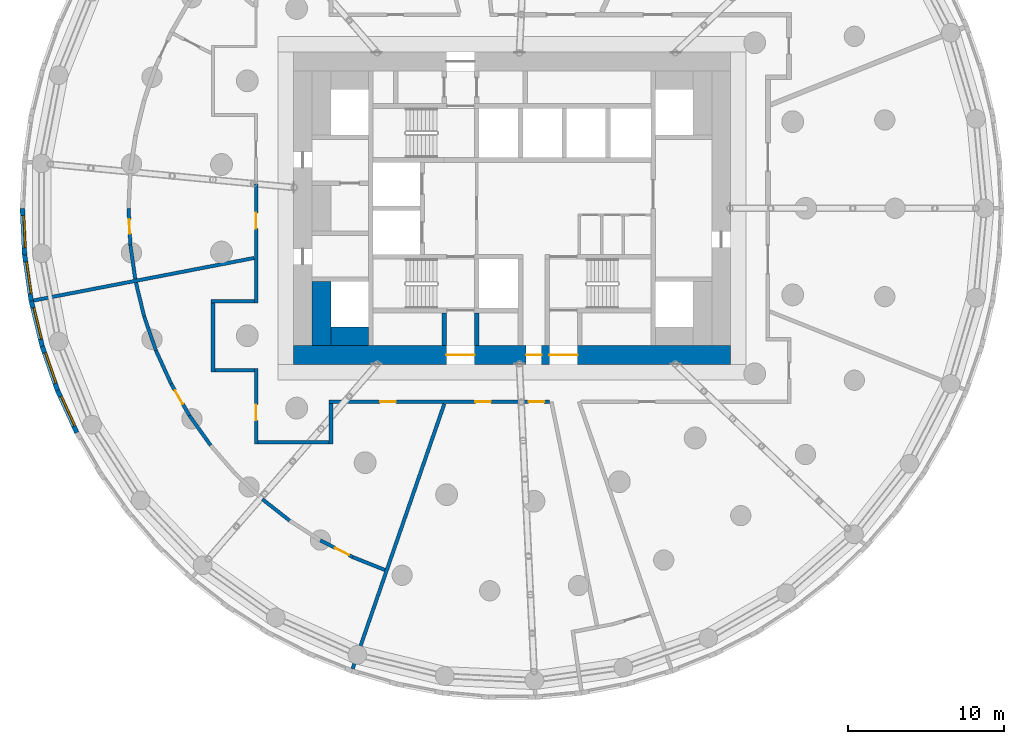
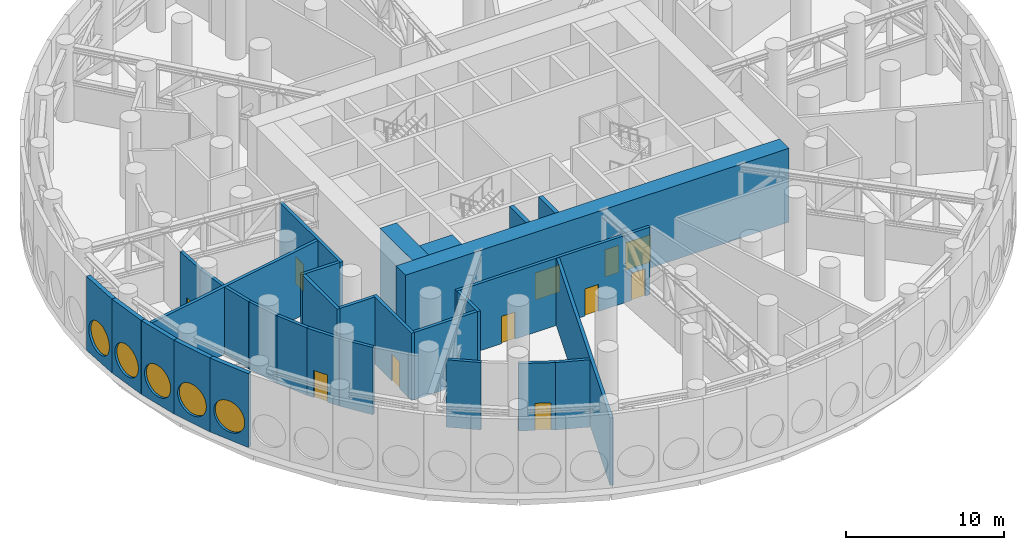
# One storey, part 9 of 17: 30 walls, 11 doors, 5 windows, 16 openings.
"""IFC4 building model written with IfcOpenShell, lengths in metres."""

from ifc_helpers import new_model, si_unit, direction, frame, frame_2d, origin, origin_2d, place, context, subcontext, project, spatial, rectangle, circle, extrude, material, layer, layer_set, type_object, element, fill, save


model = new_model("IFC4")

# Units and contexts
model_context = context("Model", 3, precision=1e-05, world=origin(), true_north=direction((0.0, 1.0)))
body_context = subcontext(model_context, "Body", "Model", "MODEL_VIEW")
ifc_project = project(units=[si_unit("LENGTHUNIT", "METRE"), si_unit("AREAUNIT", "SQUARE_METRE"), si_unit("VOLUMEUNIT", "CUBIC_METRE"), si_unit("PLANEANGLEUNIT", "RADIAN"), si_unit("MASSUNIT", "GRAM", prefix="KILO")], contexts=[model_context])

# Site, building, storey
site_placement = place(None, origin())
site = spatial("IfcSite", under=ifc_project, at=site_placement, CompositionType="ELEMENT")
building_placement = place(site_placement, origin())
building = spatial("IfcBuilding", under=site, at=building_placement, Name="Tracery Tower", CompositionType="ELEMENT")
storey_placement = place(building_placement, frame((0.0, 0.0, 120.0)))
storey = spatial("IfcBuildingStorey", under=building, at=storey_placement, Name="L30 Plant", CompositionType="ELEMENT", Elevation=120.0)

# Walls
ifc_material_1 = material(Name="Concrete C60/75", Category="concrete")
ifc_layer_1 = layer(ifc_material_1, 1.199951171875)
ifc_layer_set_1 = layer_set([ifc_layer_1], Name="Core strip wall 1200 C60")
wall_type_1 = type_object("IfcWallType", Name="Core strip wall 1200 C60", PredefinedType="SOLIDWALL", material=ifc_layer_set_1)
wall_1_placement = place(storey_placement, frame((-12.199951171875, -8.800048828125, 0.0), z_axis=(0.0, 0.0, 1.0), x_axis=(0.0, 1.0, 0.0)))
element("IfcWall", 1, at=wall_1_placement, inside=storey, type_object=wall_type_1, Name="L30 Plant wing strip -1 -9.4", PredefinedType="SOLIDWALL", context=body_context, shape_type="SweptSolid", body=[
    extrude(rectangle(XDim=4.10009765625, YDim=1.199951171875, at=frame_2d((2.050048828125, 0.0))), origin(), (0.0, 0.0, 1.0), 5.699951171875),
])
wall_2_placement = place(storey_placement, frame((-11.60009765625, -8.199951171875, 0.0), z_axis=(0.0, 0.0, 1.0), x_axis=(1.0, 0.0, 0.0)))
element("IfcWall", 2, at=wall_2_placement, inside=storey, type_object=wall_type_1, Name="L30 Plant wing corner -1 -8.2", PredefinedType="SOLIDWALL", context=body_context, shape_type="SweptSolid", body=[
    extrude(rectangle(XDim=2.400146484375, YDim=1.199951171875, at=frame_2d((1.2001953125, 0.0))), origin(), (0.0, 0.0, 1.0), 5.699951171875),
])

# Wall, openings, doors
ifc_material_2 = material(Name="Concrete C60/75", Category="concrete")
ifc_layer_2 = layer(ifc_material_2, 1.199951171875)
ifc_layer_set_2 = layer_set([ifc_layer_2], Name="Core wall 1200 C60")
wall_type_2 = type_object("IfcWallType", Name="Core wall 1200 C60", PredefinedType="SOLIDWALL", material=ifc_layer_set_2)
wall_3_placement = place(storey_placement, frame((-14.0, -9.39990234375, 0.0), z_axis=(0.0, 0.0, 1.0), x_axis=(1.0, 0.0, 0.0)))
wall_3 = element("IfcWall", 3, at=wall_3_placement, inside=storey, type_object=wall_type_2, Name="L30 Plant outer S", PredefinedType="SOLIDWALL", context=body_context, shape_type="SweptSolid", body=[
    extrude(rectangle(XDim=28.0, YDim=1.199951171875, at=frame_2d((14.0, 0.0))), origin(), (0.0, 0.0, 1.0), 5.699951171875),
])
opening_1_placement = place(wall_3_placement, frame((14.89990234375, 0.0, 0.0)))
opening_1 = element("IfcOpeningElement", 4, at=opening_1_placement, cuts=wall_3, Name="Opening KD16", PredefinedType="OPENING", context=body_context, shape_type="SweptSolid", body=[
    extrude(rectangle(XDim=1.0, YDim=2.10009765625, at=frame_2d((0.5, 1.050048828125))), frame((0.0, 0.60009765625, 0.0), z_axis=(0.0, -1.0, 0.0), x_axis=(1.0, 0.0, 0.0)), (0.0, 0.0, 1.0), 1.199951171875),
])
opening_2_placement = place(wall_3_placement, frame((9.800048828125, 0.0, 0.0)))
opening_2 = element("IfcOpeningElement", 5, at=opening_2_placement, cuts=wall_3, Name="Opening KD13", PredefinedType="OPENING", context=body_context, shape_type="SweptSolid", body=[
    extrude(rectangle(XDim=1.800048828125, YDim=2.10009765625, at=frame_2d((0.89990234375, 1.050048828125))), frame((0.0, 0.60009765625, 0.0), z_axis=(0.0, -1.0, 0.0), x_axis=(1.0, 0.0, 0.0)), (0.0, 0.0, 1.0), 1.199951171875),
])
opening_3_placement = place(wall_3_placement, frame((16.39990234375, 0.0, 0.0)))
opening_3 = element("IfcOpeningElement", 6, at=opening_3_placement, cuts=wall_3, Name="Opening KD13", PredefinedType="OPENING", context=body_context, shape_type="SweptSolid", body=[
    extrude(rectangle(XDim=1.800048828125, YDim=2.10009765625, at=frame_2d((0.89990234375, 1.050048828125))), frame((0.0, 0.60009765625, 0.0), z_axis=(0.0, -1.0, 0.0), x_axis=(1.0, 0.0, 0.0)), (0.0, 0.0, 1.0), 1.199951171875),
])
ifc_material_3 = material(Name="Steel fire door", Category="steel")
door_type_1 = type_object("IfcDoorType", Name="Core exit door 1000", OperationType="NOTDEFINED", PredefinedType="DOOR", material=ifc_material_3)
door_1_placement = place(opening_1_placement, origin())
door_1 = element("IfcDoor", 7, at=door_1_placement, inside=storey, type_object=door_type_1, Name="Core exit door", OperationType="SINGLE_SWING_LEFT", OverallHeight=2.10009765625, OverallWidth=1.0, PredefinedType="DOOR", context=body_context, shape_type="SweptSolid", body=[
    extrude(rectangle(XDim=1.0, YDim=2.10009765625, at=frame_2d((0.5, 1.050048828125))), frame((0.0, 0.02490234375, 0.0), z_axis=(0.0, -1.0, 0.0), x_axis=(1.0, 0.0, 0.0)), (0.0, 0.0, 1.0), 0.050048828125),
])
fill(opening_1, door_1)
ifc_material_4 = material(Name="Steel fire door", Category="steel")
door_type_2 = type_object("IfcDoorType", Name="Core exit door 1800 double", OperationType="NOTDEFINED", PredefinedType="DOOR", material=ifc_material_4)
door_2_placement = place(opening_2_placement, origin())
door_2 = element("IfcDoor", 8, at=door_2_placement, inside=storey, type_object=door_type_2, Name="Core exit door", OperationType="DOUBLE_DOOR_SINGLE_SWING", OverallHeight=2.10009765625, OverallWidth=1.800048828125, PredefinedType="DOOR", context=body_context, shape_type="SweptSolid", body=[
    extrude(rectangle(XDim=1.800048828125, YDim=2.10009765625, at=frame_2d((0.89990234375, 1.050048828125))), frame((0.0, 0.02490234375, 0.0), z_axis=(0.0, -1.0, 0.0), x_axis=(1.0, 0.0, 0.0)), (0.0, 0.0, 1.0), 0.050048828125),
])
fill(opening_2, door_2)
door_3_placement = place(opening_3_placement, origin())
door_3 = element("IfcDoor", 9, at=door_3_placement, inside=storey, type_object=door_type_2, Name="Core exit door", OperationType="DOUBLE_DOOR_SINGLE_SWING", OverallHeight=2.10009765625, OverallWidth=1.800048828125, PredefinedType="DOOR", context=body_context, shape_type="SweptSolid", body=[
    extrude(rectangle(XDim=1.800048828125, YDim=2.10009765625, at=frame_2d((0.89990234375, 1.050048828125))), frame((0.0, 0.02490234375, 0.0), z_axis=(0.0, -1.0, 0.0), x_axis=(1.0, 0.0, 0.0)), (0.0, 0.0, 1.0), 0.050048828125),
])
fill(opening_3, door_3)

# Wall, opening, window
ifc_material_5 = material(Name="Precast concrete C50/60", Category="concrete")
ifc_layer_3 = layer(ifc_material_5, 0.300048828125)
ifc_layer_set_3 = layer_set([ifc_layer_3], Name="Plant louvre panel 3000 x 5700")
wall_type_3 = type_object("IfcWallType", Name="Plant louvre panel 3000 x 5700", PredefinedType="SOLIDWALL", material=ifc_layer_set_3)
wall_4_placement = place(storey_placement, frame((-31.37451171875, 0.0, 0.0), z_axis=(0.0, 0.0, 1.0), x_axis=(0.047588458579, -0.998867027492, 0.0)))
wall_4 = element("IfcWall", 10, at=wall_4_placement, inside=storey, type_object=wall_type_3, Name="Plant louvre panel 34 at L30 Plant", PredefinedType="SOLIDWALL", context=body_context, shape_type="SweptSolid", body=[
    extrude(rectangle(XDim=2.98583984375, YDim=0.300048828125, at=frame_2d((1.492919921875, 0.0))), origin(), (0.0, 0.0, 1.0), 5.699951171875),
])
opening_4_placement = place(wall_4_placement, frame((1.492919921875, 0.0, 1.800048828125)))
opening_4 = element("IfcOpeningElement", 11, at=opening_4_placement, cuts=wall_4, Name="Opening LV1", PredefinedType="OPENING", context=body_context, shape_type="SweptSolid", body=[
    extrude(circle(Radius=1.199951171875, at=origin_2d()), frame((0.0, 0.159912109375, 0.0), z_axis=(0.0, -1.0, 0.0), x_axis=(1.0, 0.0, 0.0)), (0.0, 0.0, 1.0), 0.320068359375),
])
ifc_material_6 = material(Name="Aluminium louvre, bronze anodised", Category="aluminium")
window_type = type_object("IfcWindowType", Name="Louvred oculus 2400, sill 600", PartitioningType="SINGLE_PANEL", PredefinedType="WINDOW", material=ifc_material_6)
window_1_placement = place(opening_4_placement, origin())
window_1 = element("IfcWindow", 12, at=window_1_placement, inside=storey, type_object=window_type, Name="Louvred oculus 34 at L30 Plant", OverallHeight=2.39990234375, OverallWidth=2.39990234375, PartitioningType="SINGLE_PANEL", PredefinedType="WINDOW", context=body_context, shape_type="SweptSolid", body=[
    extrude(circle(Radius=1.199951171875, at=origin_2d()), frame((0.0, 0.1201171875, 0.0), z_axis=(0.0, -1.0, 0.0), x_axis=(1.0, 0.0, 0.0)), (0.0, 0.0, 1.0), 0.10009765625),
])
fill(opening_4, window_1)

wall_5_placement = place(storey_placement, frame((-31.232421875, -2.982421875, 0.0), z_axis=(0.0, 0.0, 1.0), x_axis=(0.142360001917, -0.989814947278, 0.0)))
wall_5 = element("IfcWall", 13, at=wall_5_placement, inside=storey, type_object=wall_type_3, Name="Plant louvre panel 35 at L30 Plant", PredefinedType="SOLIDWALL", context=body_context, shape_type="SweptSolid", body=[
    extrude(rectangle(XDim=2.98583984375, YDim=0.300048828125, at=frame_2d((1.492919921875, 0.0))), origin(), (0.0, 0.0, 1.0), 5.699951171875),
])
opening_5_placement = place(wall_5_placement, frame((1.492919921875, 0.0, 1.800048828125)))
opening_5 = element("IfcOpeningElement", 14, at=opening_5_placement, cuts=wall_5, Name="Opening LV1", PredefinedType="OPENING", context=body_context, shape_type="SweptSolid", body=[
    extrude(circle(Radius=1.199951171875, at=origin_2d()), frame((0.0, 0.159912109375, 0.0), z_axis=(0.0, -1.0, 0.0), x_axis=(1.0, 0.0, 0.0)), (0.0, 0.0, 1.0), 0.320068359375),
])
window_2_placement = place(opening_5_placement, origin())
window_2 = element("IfcWindow", 15, at=window_2_placement, inside=storey, type_object=window_type, Name="Louvred oculus 35 at L30 Plant", OverallHeight=2.39990234375, OverallWidth=2.39990234375, PartitioningType="SINGLE_PANEL", PredefinedType="WINDOW", context=body_context, shape_type="SweptSolid", body=[
    extrude(circle(Radius=1.199951171875, at=origin_2d()), frame((0.0, 0.1201171875, 0.0), z_axis=(0.0, -1.0, 0.0), x_axis=(1.0, 0.0, 0.0)), (0.0, 0.0, 1.0), 0.10009765625),
])
fill(opening_5, window_2)

wall_6_placement = place(storey_placement, frame((-30.807373046875, -5.937744140625, 0.0), z_axis=(0.0, 0.0, 1.0), x_axis=(0.235756834479, -0.971812078026, 0.0)))
wall_6 = element("IfcWall", 16, at=wall_6_placement, inside=storey, type_object=wall_type_3, Name="Plant louvre panel 36 at L30 Plant", PredefinedType="SOLIDWALL", context=body_context, shape_type="SweptSolid", body=[
    extrude(rectangle(XDim=2.985595703125, YDim=0.300048828125, at=frame_2d((1.49267578125, 0.0))), origin(), (0.0, 0.0, 1.0), 5.699951171875),
])
opening_6_placement = place(wall_6_placement, frame((1.492919921875, 0.0, 1.800048828125)))
opening_6 = element("IfcOpeningElement", 17, at=opening_6_placement, cuts=wall_6, Name="Opening LV1", PredefinedType="OPENING", context=body_context, shape_type="SweptSolid", body=[
    extrude(circle(Radius=1.199951171875, at=origin_2d()), frame((0.0, 0.159912109375, 0.0), z_axis=(0.0, -1.0, 0.0), x_axis=(1.0, 0.0, 0.0)), (0.0, 0.0, 1.0), 0.320068359375),
])
window_3_placement = place(opening_6_placement, origin())
window_3 = element("IfcWindow", 18, at=window_3_placement, inside=storey, type_object=window_type, Name="Louvred oculus 36 at L30 Plant", OverallHeight=2.39990234375, OverallWidth=2.39990234375, PartitioningType="SINGLE_PANEL", PredefinedType="WINDOW", context=body_context, shape_type="SweptSolid", body=[
    extrude(circle(Radius=1.199951171875, at=origin_2d()), frame((0.0, 0.1201171875, 0.0), z_axis=(0.0, -1.0, 0.0), x_axis=(1.0, 0.0, 0.0)), (0.0, 0.0, 1.0), 0.10009765625),
])
fill(opening_6, window_3)

wall_7_placement = place(storey_placement, frame((-30.103515625, -8.839111328125, 0.0), z_axis=(0.0, 0.0, 1.0), x_axis=(0.327074054052, -0.944998710669, 0.0)))
wall_7 = element("IfcWall", 19, at=wall_7_placement, inside=storey, type_object=wall_type_3, Name="Plant louvre panel 37 at L30 Plant", PredefinedType="SOLIDWALL", context=body_context, shape_type="SweptSolid", body=[
    extrude(rectangle(XDim=2.98583984375, YDim=0.300048828125, at=frame_2d((1.492919921875, 0.0))), origin(), (0.0, 0.0, 1.0), 5.699951171875),
])
opening_7_placement = place(wall_7_placement, frame((1.492919921875, 0.0, 1.800048828125)))
opening_7 = element("IfcOpeningElement", 20, at=opening_7_placement, cuts=wall_7, Name="Opening LV1", PredefinedType="OPENING", context=body_context, shape_type="SweptSolid", body=[
    extrude(circle(Radius=1.199951171875, at=origin_2d()), frame((0.0, 0.159912109375, 0.0), z_axis=(0.0, -1.0, 0.0), x_axis=(1.0, 0.0, 0.0)), (0.0, 0.0, 1.0), 0.320068359375),
])
window_4_placement = place(opening_7_placement, origin())
window_4 = element("IfcWindow", 21, at=window_4_placement, inside=storey, type_object=window_type, Name="Louvred oculus 37 at L30 Plant", OverallHeight=2.39990234375, OverallWidth=2.39990234375, PartitioningType="SINGLE_PANEL", PredefinedType="WINDOW", context=body_context, shape_type="SweptSolid", body=[
    extrude(circle(Radius=1.199951171875, at=origin_2d()), frame((0.0, 0.1201171875, 0.0), z_axis=(0.0, -1.0, 0.0), x_axis=(1.0, 0.0, 0.0)), (0.0, 0.0, 1.0), 0.10009765625),
])
fill(opening_7, window_4)

wall_8_placement = place(storey_placement, frame((-29.126953125, -11.66064453125, 0.0), z_axis=(0.0, 0.0, 1.0), x_axis=(0.415373250944, -0.909651066289, 0.0)))
wall_8 = element("IfcWall", 22, at=wall_8_placement, inside=storey, type_object=wall_type_3, Name="Plant louvre panel 38 at L30 Plant", PredefinedType="SOLIDWALL", context=body_context, shape_type="SweptSolid", body=[
    extrude(rectangle(XDim=2.98583984375, YDim=0.300048828125, at=frame_2d((1.492919921875, 0.0))), origin(), (0.0, 0.0, 1.0), 5.699951171875),
])
opening_8_placement = place(wall_8_placement, frame((1.492919921875, 0.0, 1.800048828125)))
opening_8 = element("IfcOpeningElement", 23, at=opening_8_placement, cuts=wall_8, Name="Opening LV1", PredefinedType="OPENING", context=body_context, shape_type="SweptSolid", body=[
    extrude(circle(Radius=1.199951171875, at=origin_2d()), frame((0.0, 0.159912109375, 0.0), z_axis=(0.0, -1.0, 0.0), x_axis=(1.0, 0.0, 0.0)), (0.0, 0.0, 1.0), 0.320068359375),
])
window_5_placement = place(opening_8_placement, origin())
window_5 = element("IfcWindow", 24, at=window_5_placement, inside=storey, type_object=window_type, Name="Louvred oculus 38 at L30 Plant", OverallHeight=2.39990234375, OverallWidth=2.39990234375, PartitioningType="SINGLE_PANEL", PredefinedType="WINDOW", context=body_context, shape_type="SweptSolid", body=[
    extrude(circle(Radius=1.199951171875, at=origin_2d()), frame((0.0, 0.1201171875, 0.0), z_axis=(0.0, -1.0, 0.0), x_axis=(1.0, 0.0, 0.0)), (0.0, 0.0, 1.0), 0.10009765625),
])
fill(opening_8, window_5)

# Wall
ifc_material_7 = material(Name="Concrete blockwork", Category="masonry")
ifc_layer_4 = layer(ifc_material_7, 0.22509765625)
ifc_layer_set_4 = layer_set([ifc_layer_4], Name="Plant room block wall 225")
wall_type_4 = type_object("IfcWallType", Name="Plant room block wall 225", PredefinedType="PARTITIONING", material=ifc_layer_set_4)
wall_9_placement = place(storey_placement, frame((-30.659912109375, -5.9091796875, 0.0), z_axis=(0.0, 0.0, 1.0), x_axis=(0.981928953338, 0.18924991571, 0.0)))
element("IfcWall", 25, at=wall_9_placement, inside=storey, type_object=wall_type_4, Name="Plant room block wall 225", PredefinedType="PARTITIONING", context=body_context, shape_type="SweptSolid", body=[
    extrude(rectangle(XDim=14.39697265625, YDim=0.22509765625, at=frame_2d((7.198486328125, 0.0))), origin(), (0.0, 0.0, 1.0), 5.199951171875),
])

# Wall, opening, door
wall_10_placement = place(storey_placement, frame((-24.45556640625, -2.335205078125, 0.0), z_axis=(0.0, 0.0, 1.0), x_axis=(-0.047515533415, 0.998870499156, 0.0)))
wall_10 = element("IfcWall", 26, at=wall_10_placement, inside=storey, type_object=wall_type_4, Name="Plant room block wall 225", PredefinedType="PARTITIONING", context=body_context, shape_type="SweptSolid", body=[
    extrude(rectangle(XDim=2.337890625, YDim=0.22509765625, at=frame_2d((1.1689453125, 0.0))), origin(), (0.0, 0.0, 1.0), 5.199951171875),
])
opening_9_placement = place(wall_10_placement, frame((0.718994140625, 0.0, 0.0)))
opening_9 = element("IfcOpeningElement", 27, at=opening_9_placement, cuts=wall_10, Name="Opening SB-P30-06", PredefinedType="OPENING", context=body_context, shape_type="SweptSolid", body=[
    extrude(rectangle(XDim=0.89990234375, YDim=2.10009765625, at=frame_2d((0.449951171875, 1.050048828125))), frame((0.0, 0.112548828125, 0.0), z_axis=(0.0, -1.0, 0.0), x_axis=(1.0, 0.0, 0.0)), (0.0, 0.0, 1.0), 0.22509765625),
])
ifc_material_8 = material(Name="Steel fire door", Category="steel")
door_type_3 = type_object("IfcDoorType", Name="Store door 900", OperationType="NOTDEFINED", PredefinedType="DOOR", material=ifc_material_8)
door_4_placement = place(opening_9_placement, origin())
door_4 = element("IfcDoor", 28, at=door_4_placement, inside=storey, type_object=door_type_3, Name="Store door 900", OperationType="SINGLE_SWING_RIGHT", OverallHeight=2.10009765625, OverallWidth=0.89990234375, PredefinedType="DOOR", context=body_context, shape_type="SweptSolid", body=[
    extrude(rectangle(XDim=0.89990234375, YDim=2.10009765625, at=frame_2d((0.449951171875, 1.050048828125))), frame((0.0, 0.02490234375, 0.0), z_axis=(0.0, -1.0, 0.0), x_axis=(1.0, 0.0, 0.0)), (0.0, 0.0, 1.0), 0.050048828125),
])
fill(opening_9, door_4)

# Walls
wall_11_placement = place(storey_placement, frame((-24.45556640625, -2.335205078125, 0.0), z_axis=(0.0, 0.0, 1.0), x_axis=(0.142359370695, -0.989815038063, 0.0)))
element("IfcWall", 29, at=wall_11_placement, inside=storey, type_object=wall_type_4, Name="Plant room block wall 225", PredefinedType="PARTITIONING", context=body_context, shape_type="SweptSolid", body=[
    extrude(rectangle(XDim=2.22265625, YDim=0.22509765625, at=frame_2d((1.111328125, 0.0))), origin(), (0.0, 0.0, 1.0), 5.199951171875),
])
wall_12_placement = place(storey_placement, frame((-24.095703125, -4.761474609375, 0.0), z_axis=(0.0, 0.0, 1.0), x_axis=(0.235860984845, -0.971786805749, 0.0)))
element("IfcWall", 30, at=wall_12_placement, inside=storey, type_object=wall_type_4, Name="Plant room block wall 225", PredefinedType="PARTITIONING", context=body_context, shape_type="SweptSolid", body=[
    extrude(rectangle(XDim=2.222412109375, YDim=0.22509765625, at=frame_2d((1.111328125, 0.0))), origin(), (0.0, 0.0, 1.0), 5.199951171875),
])
wall_13_placement = place(storey_placement, frame((-23.571533203125, -6.921142578125, 0.0), z_axis=(0.0, 0.0, 1.0), x_axis=(0.327046007052, -0.945008417566, 0.0)))
element("IfcWall", 31, at=wall_13_placement, inside=storey, type_object=wall_type_4, Name="Plant room block wall 225", PredefinedType="PARTITIONING", context=body_context, shape_type="SweptSolid", body=[
    extrude(rectangle(XDim=2.338134765625, YDim=0.22509765625, at=frame_2d((1.1689453125, 0.0))), origin(), (0.0, 0.0, 1.0), 5.199951171875),
])
wall_14_placement = place(storey_placement, frame((-22.806884765625, -9.130615234375, 0.0), z_axis=(0.0, 0.0, 1.0), x_axis=(0.415438886862, -0.909621092149, 0.0)))
element("IfcWall", 32, at=wall_14_placement, inside=storey, type_object=wall_type_4, Name="Plant room block wall 225", PredefinedType="PARTITIONING", context=body_context, shape_type="SweptSolid", body=[
    extrude(rectangle(XDim=2.337646484375, YDim=0.22509765625, at=frame_2d((1.1689453125, 0.0))), origin(), (0.0, 0.0, 1.0), 5.199951171875),
])

# Wall, opening, door
wall_15_placement = place(storey_placement, frame((-20.666748046875, -13.28173828125, 0.0), z_axis=(0.0, 0.0, 1.0), x_axis=(-0.500002679963, 0.866023856502, 0.0)))
wall_15 = element("IfcWall", 33, at=wall_15_placement, inside=storey, type_object=wall_type_4, Name="Plant room block wall 225", PredefinedType="PARTITIONING", context=body_context, shape_type="SweptSolid", body=[
    extrude(rectangle(XDim=2.337890625, YDim=0.22509765625, at=frame_2d((1.1689453125, 0.0))), origin(), (0.0, 0.0, 1.0), 5.199951171875),
])
opening_10_placement = place(wall_15_placement, frame((0.868896484375, 0.0, 0.0)))
opening_10 = element("IfcOpeningElement", 34, at=opening_10_placement, cuts=wall_15, Name="Opening SB-P30-08", PredefinedType="OPENING", context=body_context, shape_type="SweptSolid", body=[
    extrude(rectangle(XDim=1.0, YDim=2.10009765625, at=frame_2d((0.5, 1.050048828125))), frame((0.0, 0.112548828125, 0.0), z_axis=(0.0, -1.0, 0.0), x_axis=(1.0, 0.0, 0.0)), (0.0, 0.0, 1.0), 0.22509765625),
])
ifc_material_9 = material(Name="Steel fire door", Category="steel")
door_type_4 = type_object("IfcDoorType", Name="Plant room door 1000", OperationType="NOTDEFINED", PredefinedType="DOOR", material=ifc_material_9)
door_5_placement = place(opening_10_placement, origin())
door_5 = element("IfcDoor", 35, at=door_5_placement, inside=storey, type_object=door_type_4, Name="Plant room door 1000", OperationType="SINGLE_SWING_RIGHT", OverallHeight=2.10009765625, OverallWidth=1.0, PredefinedType="DOOR", context=body_context, shape_type="SweptSolid", body=[
    extrude(rectangle(XDim=1.0, YDim=2.10009765625, at=frame_2d((0.5, 1.050048828125))), frame((0.0, 0.02490234375, 0.0), z_axis=(0.0, -1.0, 0.0), x_axis=(1.0, 0.0, 0.0)), (0.0, 0.0, 1.0), 0.050048828125),
])
fill(opening_10, door_5)

# Walls
wall_16_placement = place(storey_placement, frame((-20.666748046875, -13.28173828125, 0.0), z_axis=(0.0, 0.0, 1.0), x_axis=(0.580032319147, -0.814593462252, 0.0)))
element("IfcWall", 36, at=wall_16_placement, inside=storey, type_object=wall_type_4, Name="Plant room block wall 225", PredefinedType="PARTITIONING", context=body_context, shape_type="SweptSolid", body=[
    extrude(rectangle(XDim=2.337646484375, YDim=0.22509765625, at=frame_2d((1.1689453125, 0.0))), origin(), (0.0, 0.0, 1.0), 5.199951171875),
])
wall_17_placement = place(storey_placement, frame((-19.045654296875, -10.36669921875, 0.0), z_axis=(0.0, 0.0, 1.0), x_axis=(1.0, 0.0, 0.0)))
element("IfcWall", 37, at=wall_17_placement, inside=storey, type_object=wall_type_4, Name="Plant room block wall 225", PredefinedType="PARTITIONING", context=body_context, shape_type="SweptSolid", body=[
    extrude(rectangle(XDim=2.533203125, YDim=0.22509765625, at=frame_2d((1.2666015625, 0.0))), origin(), (0.0, 0.0, 1.0), 5.199951171875),
])
wall_18_placement = place(storey_placement, frame((-19.158203125, -6.0791015625, 0.0), z_axis=(0.0, 0.0, 1.0), x_axis=(0.0, -1.0, 0.0)))
element("IfcWall", 38, at=wall_18_placement, inside=storey, type_object=wall_type_4, Name="Plant room block wall 225", PredefinedType="PARTITIONING", context=body_context, shape_type="SweptSolid", body=[
    extrude(rectangle(XDim=4.400146484375, YDim=0.22509765625, at=frame_2d((2.2001953125, 0.0))), origin(), (0.0, 0.0, 1.0), 5.199951171875),
])
wall_19_placement = place(storey_placement, frame((-16.28759765625, -15.002197265625, 0.0), z_axis=(0.0, 0.0, 1.0), x_axis=(1.0, 0.0, 0.0)))
element("IfcWall", 39, at=wall_19_placement, inside=storey, type_object=wall_type_4, Name="Plant room block wall 225", PredefinedType="PARTITIONING", context=body_context, shape_type="SweptSolid", body=[
    extrude(rectangle(XDim=4.577392578125, YDim=0.22509765625, at=frame_2d((2.28857421875, 0.0))), origin(), (0.0, 0.0, 1.0), 5.199951171875),
])

# Wall, opening, door
wall_20_placement = place(storey_placement, frame((-16.39990234375, -10.254150390625, 0.0), z_axis=(0.0, 0.0, 1.0), x_axis=(0.0, -1.0, 0.0)))
wall_20 = element("IfcWall", 40, at=wall_20_placement, inside=storey, type_object=wall_type_4, Name="Plant room block wall 225", PredefinedType="PARTITIONING", context=body_context, shape_type="SweptSolid", body=[
    extrude(rectangle(XDim=4.860595703125, YDim=0.22509765625, at=frame_2d((2.43017578125, 0.0))), origin(), (0.0, 0.0, 1.0), 5.199951171875),
])
opening_11_placement = place(wall_20_placement, frame((2.330322265625, 0.0, 0.0)))
opening_11 = element("IfcOpeningElement", 41, at=opening_11_placement, cuts=wall_20, Name="Opening SB-P30-07", PredefinedType="OPENING", context=body_context, shape_type="SweptSolid", body=[
    extrude(rectangle(XDim=1.0, YDim=2.10009765625, at=frame_2d((0.5, 1.050048828125))), frame((0.0, 0.112548828125, 0.0), z_axis=(0.0, -1.0, 0.0), x_axis=(1.0, 0.0, 0.0)), (0.0, 0.0, 1.0), 0.22509765625),
])
door_6_placement = place(opening_11_placement, origin())
door_6 = element("IfcDoor", 42, at=door_6_placement, inside=storey, type_object=door_type_4, Name="Plant room door 1000", OperationType="SINGLE_SWING_LEFT", OverallHeight=2.10009765625, OverallWidth=1.0, PredefinedType="DOOR", context=body_context, shape_type="SweptSolid", body=[
    extrude(rectangle(XDim=1.0, YDim=2.10009765625, at=frame_2d((0.5, 1.050048828125))), frame((0.0, 0.02490234375, 0.0), z_axis=(0.0, -1.0, 0.0), x_axis=(1.0, 0.0, 0.0)), (0.0, 0.0, 1.0), 0.050048828125),
])
fill(opening_11, door_6)

# Wall
wall_21_placement = place(storey_placement, frame((-16.512451171875, -5.966796875, 0.0), z_axis=(0.0, 0.0, 1.0), x_axis=(-1.0, 0.0, 0.0)))
element("IfcWall", 43, at=wall_21_placement, inside=storey, type_object=wall_type_4, Name="Plant room block wall 225", PredefinedType="PARTITIONING", context=body_context, shape_type="SweptSolid", body=[
    extrude(rectangle(XDim=2.75830078125, YDim=0.22509765625, at=frame_2d((1.379150390625, 0.0))), origin(), (0.0, 0.0, 1.0), 5.199951171875),
])

# Wall, opening, door
wall_22_placement = place(storey_placement, frame((-16.39990234375, 1.56591796875, 0.0), z_axis=(0.0, 0.0, 1.0), x_axis=(0.0, -1.0, 0.0)))
wall_22 = element("IfcWall", 44, at=wall_22_placement, inside=storey, type_object=wall_type_4, Name="Plant room block wall 225", PredefinedType="PARTITIONING", context=body_context, shape_type="SweptSolid", body=[
    extrude(rectangle(XDim=7.64501953125, YDim=0.22509765625, at=frame_2d((3.822509765625, 0.0))), origin(), (0.0, 0.0, 1.0), 5.199951171875),
])
opening_12_placement = place(wall_22_placement, frame((1.86328125, 0.0, 0.0)))
opening_12 = element("IfcOpeningElement", 45, at=opening_12_placement, cuts=wall_22, Name="Opening SB-P30-05", PredefinedType="OPENING", context=body_context, shape_type="SweptSolid", body=[
    extrude(rectangle(XDim=1.0, YDim=2.10009765625, at=frame_2d((0.5, 1.050048828125))), frame((0.0, 0.112548828125, 0.0), z_axis=(0.0, -1.0, 0.0), x_axis=(1.0, 0.0, 0.0)), (0.0, 0.0, 1.0), 0.22509765625),
])
door_7_placement = place(opening_12_placement, origin())
door_7 = element("IfcDoor", 46, at=door_7_placement, inside=storey, type_object=door_type_4, Name="Plant room door 1000", OperationType="SINGLE_SWING_LEFT", OverallHeight=2.10009765625, OverallWidth=1.0, PredefinedType="DOOR", context=body_context, shape_type="SweptSolid", body=[
    extrude(rectangle(XDim=1.0, YDim=2.10009765625, at=frame_2d((0.5, 1.050048828125))), frame((0.0, 0.02490234375, 0.0), z_axis=(0.0, -1.0, 0.0), x_axis=(1.0, 0.0, 0.0)), (0.0, 0.0, 1.0), 0.050048828125),
])
fill(opening_12, door_7)

# Wall
wall_23_placement = place(storey_placement, frame((-15.997314453125, -18.6376953125, 0.0), z_axis=(0.0, 0.0, 1.0), x_axis=(0.786123914526, -0.618068920922, 0.0)))
element("IfcWall", 47, at=wall_23_placement, inside=storey, type_object=wall_type_4, Name="Plant room block wall 225", PredefinedType="PARTITIONING", context=body_context, shape_type="SweptSolid", body=[
    extrude(rectangle(XDim=2.22265625, YDim=0.22509765625, at=frame_2d((1.111328125, 0.0))), origin(), (0.0, 0.0, 1.0), 5.199951171875),
])

# Wall, opening, door
wall_24_placement = place(storey_placement, frame((-10.205322265625, -22.3466796875, 0.0), z_axis=(0.0, 0.0, 1.0), x_axis=(-0.888845697941, 0.458206640339, 0.0)))
wall_24 = element("IfcWall", 48, at=wall_24_placement, inside=storey, type_object=wall_type_4, Name="Plant room block wall 225", PredefinedType="PARTITIONING", context=body_context, shape_type="SweptSolid", body=[
    extrude(rectangle(XDim=2.337890625, YDim=0.22509765625, at=frame_2d((1.1689453125, 0.0))), origin(), (0.0, 0.0, 1.0), 5.199951171875),
])
opening_13_placement = place(wall_24_placement, frame((0.268798828125, 0.0, 0.0)))
opening_13 = element("IfcOpeningElement", 49, at=opening_13_placement, cuts=wall_24, Name="Opening SB-P30-10", PredefinedType="OPENING", context=body_context, shape_type="SweptSolid", body=[
    extrude(rectangle(XDim=1.0, YDim=2.10009765625, at=frame_2d((0.5, 1.050048828125))), frame((0.0, 0.112548828125, 0.0), z_axis=(0.0, -1.0, 0.0), x_axis=(1.0, 0.0, 0.0)), (0.0, 0.0, 1.0), 0.22509765625),
])
door_8_placement = place(opening_13_placement, origin())
door_8 = element("IfcDoor", 50, at=door_8_placement, inside=storey, type_object=door_type_4, Name="Plant room door 1000", OperationType="SINGLE_SWING_RIGHT", OverallHeight=2.10009765625, OverallWidth=1.0, PredefinedType="DOOR", context=body_context, shape_type="SweptSolid", body=[
    extrude(rectangle(XDim=1.0, YDim=2.10009765625, at=frame_2d((0.5, 1.050048828125))), frame((0.0, 0.02490234375, 0.0), z_axis=(0.0, -1.0, 0.0), x_axis=(1.0, 0.0, 0.0)), (0.0, 0.0, 1.0), 0.050048828125),
])
fill(opening_13, door_8)

# Wall
wall_25_placement = place(storey_placement, frame((-11.59765625, -15.11474609375, 0.0), z_axis=(0.0, 0.0, 1.0), x_axis=(0.0, 1.0, 0.0)))
element("IfcWall", 51, at=wall_25_placement, inside=storey, type_object=wall_type_4, Name="Plant room block wall 225", PredefinedType="PARTITIONING", context=body_context, shape_type="SweptSolid", body=[
    extrude(rectangle(XDim=2.602294921875, YDim=0.22509765625, at=frame_2d((1.30126953125, 0.0))), origin(), (0.0, 0.0, 1.0), 5.199951171875),
])

# Wall, openings, doors
wall_26_placement = place(storey_placement, frame((-11.710205078125, -12.39990234375, 0.0), z_axis=(0.0, 0.0, 1.0), x_axis=(1.0, 0.0, 0.0)))
wall_26 = element("IfcWall", 52, at=wall_26_placement, inside=storey, type_object=wall_type_4, Name="Plant room block wall 225", PredefinedType="PARTITIONING", context=body_context, shape_type="SweptSolid", body=[
    extrude(rectangle(XDim=14.120361328125, YDim=0.22509765625, at=frame_2d((7.06005859375, 0.0))), origin(), (0.0, 0.0, 1.0), 5.199951171875),
])
opening_14_placement = place(wall_26_placement, frame((3.265380859375, 0.0, 0.0)))
opening_14 = element("IfcOpeningElement", 53, at=opening_14_placement, cuts=wall_26, Name="Opening SB-P30-09", PredefinedType="OPENING", context=body_context, shape_type="SweptSolid", body=[
    extrude(rectangle(XDim=1.0, YDim=2.10009765625, at=frame_2d((0.5, 1.050048828125))), frame((0.0, 0.112548828125, 0.0), z_axis=(0.0, -1.0, 0.0), x_axis=(1.0, 0.0, 0.0)), (0.0, 0.0, 1.0), 0.22509765625),
])
opening_15_placement = place(wall_26_placement, frame((9.359619140625, 0.0, 0.0)))
opening_15 = element("IfcOpeningElement", 54, at=opening_15_placement, cuts=wall_26, Name="Opening SB-P30-11", PredefinedType="OPENING", context=body_context, shape_type="SweptSolid", body=[
    extrude(rectangle(XDim=1.0, YDim=2.10009765625, at=frame_2d((0.5, 1.050048828125))), frame((0.0, 0.112548828125, 0.0), z_axis=(0.0, -1.0, 0.0), x_axis=(1.0, 0.0, 0.0)), (0.0, 0.0, 1.0), 0.22509765625),
])
opening_16_placement = place(wall_26_placement, frame((12.767822265625, 0.0, 0.0)))
opening_16 = element("IfcOpeningElement", 55, at=opening_16_placement, cuts=wall_26, Name="Opening SB-P30-18", PredefinedType="OPENING", context=body_context, shape_type="SweptSolid", body=[
    extrude(rectangle(XDim=1.0, YDim=2.10009765625, at=frame_2d((0.5, 1.050048828125))), frame((0.0, 0.112548828125, 0.0), z_axis=(0.0, -1.0, 0.0), x_axis=(1.0, 0.0, 0.0)), (0.0, 0.0, 1.0), 0.22509765625),
])
door_9_placement = place(opening_14_placement, origin())
door_9 = element("IfcDoor", 56, at=door_9_placement, inside=storey, type_object=door_type_4, Name="Plant room door 1000", OperationType="SINGLE_SWING_LEFT", OverallHeight=2.10009765625, OverallWidth=1.0, PredefinedType="DOOR", context=body_context, shape_type="SweptSolid", body=[
    extrude(rectangle(XDim=1.0, YDim=2.10009765625, at=frame_2d((0.5, 1.050048828125))), frame((0.0, 0.02490234375, 0.0), z_axis=(0.0, -1.0, 0.0), x_axis=(1.0, 0.0, 0.0)), (0.0, 0.0, 1.0), 0.050048828125),
])
fill(opening_14, door_9)
door_10_placement = place(opening_15_placement, origin())
door_10 = element("IfcDoor", 57, at=door_10_placement, inside=storey, type_object=door_type_4, Name="Plant room door 1000", OperationType="SINGLE_SWING_LEFT", OverallHeight=2.10009765625, OverallWidth=1.0, PredefinedType="DOOR", context=body_context, shape_type="SweptSolid", body=[
    extrude(rectangle(XDim=1.0, YDim=2.10009765625, at=frame_2d((0.5, 1.050048828125))), frame((0.0, 0.02490234375, 0.0), z_axis=(0.0, -1.0, 0.0), x_axis=(1.0, 0.0, 0.0)), (0.0, 0.0, 1.0), 0.050048828125),
])
fill(opening_15, door_10)
door_11_placement = place(opening_16_placement, origin())
door_11 = element("IfcDoor", 58, at=door_11_placement, inside=storey, type_object=door_type_4, Name="Plant room door 1000", OperationType="SINGLE_SWING_LEFT", OverallHeight=2.10009765625, OverallWidth=1.0, PredefinedType="DOOR", context=body_context, shape_type="SweptSolid", body=[
    extrude(rectangle(XDim=1.0, YDim=2.10009765625, at=frame_2d((0.5, 1.050048828125))), frame((0.0, 0.02490234375, 0.0), z_axis=(0.0, -1.0, 0.0), x_axis=(1.0, 0.0, 0.0)), (0.0, 0.0, 1.0), 0.050048828125),
])
fill(opening_16, door_11)

# Walls
wall_27_placement = place(storey_placement, frame((-10.21240234375, -29.507080078125, 0.0), z_axis=(0.0, 0.0, 1.0), x_axis=(0.32706855335, 0.945000614502, 0.0)))
element("IfcWall", 59, at=wall_27_placement, inside=storey, type_object=wall_type_4, Name="Plant room block wall 225", PredefinedType="PARTITIONING", context=body_context, shape_type="SweptSolid", body=[
    extrude(rectangle(XDim=17.964111328125, YDim=0.22509765625, at=frame_2d((8.98193359375, 0.0))), origin(), (0.0, 0.0, 1.0), 5.199951171875),
])
wall_28_placement = place(storey_placement, frame((-10.205322265625, -22.3466796875, 0.0), z_axis=(0.0, 0.0, 1.0), x_axis=(0.92837816823, -0.371636888312, 0.0)))
element("IfcWall", 60, at=wall_28_placement, inside=storey, type_object=wall_type_4, Name="Plant room block wall 225", PredefinedType="PARTITIONING", context=body_context, shape_type="SweptSolid", body=[
    extrude(rectangle(XDim=2.222412109375, YDim=0.22509765625, at=frame_2d((1.111328125, 0.0))), origin(), (0.0, 0.0, 1.0), 5.199951171875),
])
ifc_material_10 = material(Name="Concrete C60/75", Category="concrete")
ifc_layer_5 = layer(ifc_material_10, 0.300048828125)
ifc_layer_set_5 = layer_set([ifc_layer_5], Name="Shaft wall 300 C60")
wall_type_5 = type_object("IfcWallType", Name="Shaft wall 300 C60", PredefinedType="SOLIDWALL", material=ifc_layer_set_5)
wall_29_placement = place(storey_placement, frame((-4.35009765625, -8.800048828125, 0.0), z_axis=(0.0, 0.0, 1.0), x_axis=(0.0, 1.0, 0.0)))
element("IfcWall", 61, at=wall_29_placement, inside=storey, type_object=wall_type_5, Name="L30 Plant band S -4.35", PredefinedType="SOLIDWALL", context=body_context, shape_type="SweptSolid", body=[
    extrude(rectangle(XDim=2.10009765625, YDim=0.300048828125, at=frame_2d((1.050048828125, 0.0))), origin(), (0.0, 0.0, 1.0), 5.699951171875),
])
ifc_material_11 = material(Name="Concrete C60/75", Category="concrete")
ifc_layer_6 = layer(ifc_material_11, 0.300048828125)
ifc_layer_set_6 = layer_set([ifc_layer_6], Name="Stair wall 300 C60")
wall_type_6 = type_object("IfcWallType", Name="Stair wall 300 C60", PredefinedType="SOLIDWALL", material=ifc_layer_set_6)
wall_30_placement = place(storey_placement, frame((-2.25, -8.800048828125, 0.0), z_axis=(0.0, 0.0, 1.0), x_axis=(0.0, 1.0, 0.0)))
element("IfcWall", 62, at=wall_30_placement, inside=storey, type_object=wall_type_6, Name="L30 Plant ST1 E out", PredefinedType="SOLIDWALL", context=body_context, shape_type="SweptSolid", body=[
    extrude(rectangle(XDim=2.10009765625, YDim=0.300048828125, at=frame_2d((1.050048828125, 0.0))), origin(), (0.0, 0.0, 1.0), 5.699951171875),
])

save(model, "model.ifc")
